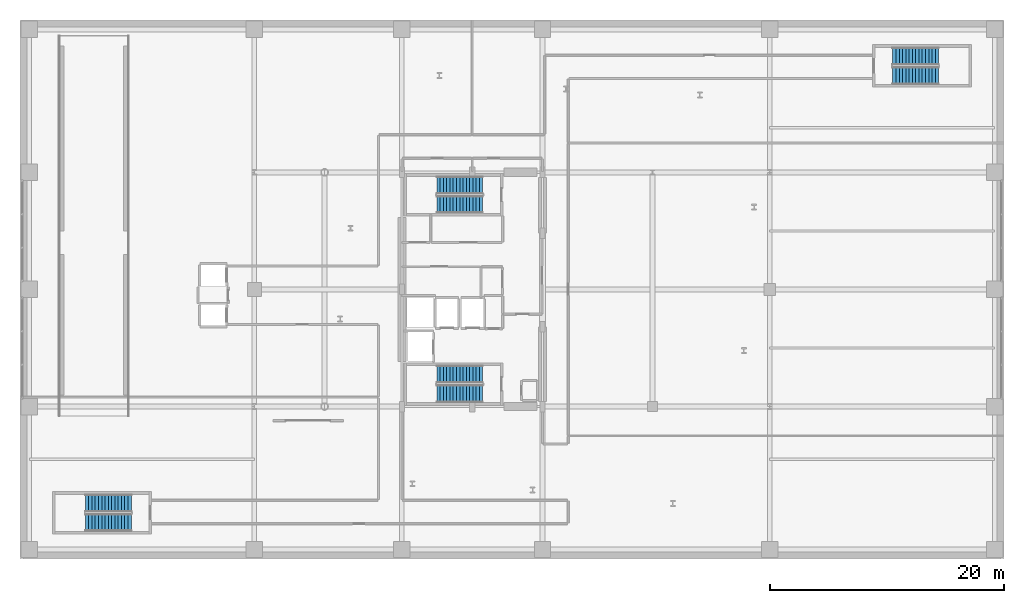
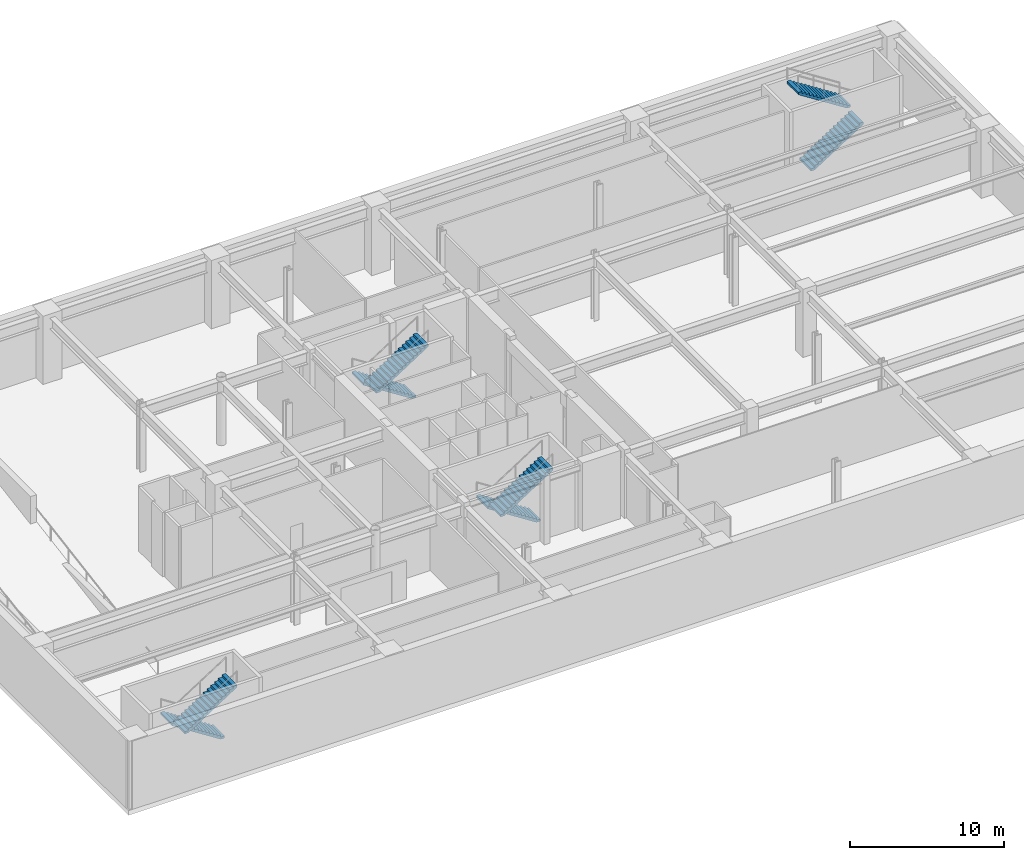
# One storey, part 21 of 25: 8 stair flights, 4 elements without a shape of their own.
"""IFC4 building model written with IfcOpenShell, lengths in metres."""

from ifc_helpers import new_model, si_unit, direction, frame, origin, place, context, subcontext, project, spatial, polyline, outline, extrude, material, layer, layer_set, type_object, element, aggregate, save


model = new_model("IFC4")

# Units and contexts
model_context = context("Model", 3, precision=1e-05, world=origin(), true_north=direction((0.0, 1.0)))
body_context = subcontext(model_context, "Body", "Model", "MODEL_VIEW")
ifc_project = project(units=[si_unit("LENGTHUNIT", "METRE"), si_unit("AREAUNIT", "SQUARE_METRE"), si_unit("VOLUMEUNIT", "CUBIC_METRE"), si_unit("PLANEANGLEUNIT", "RADIAN"), si_unit("MASSUNIT", "GRAM", prefix="KILO")], contexts=[model_context])

# Site, building, storey
site_placement = place(None, origin())
site = spatial("IfcSite", under=ifc_project, at=site_placement, CompositionType="ELEMENT")
building_placement = place(site_placement, origin())
building = spatial("IfcBuilding", under=site, at=building_placement, Name="Soratama Intermodal Tower", CompositionType="ELEMENT")
storey_placement = place(building_placement, frame((0.0, 0.0, -5.39990234375)))
storey = spatial("IfcBuildingStorey", under=building, at=storey_placement, Name="B1", CompositionType="ELEMENT", Elevation=-5.39990234375)

# Stair, stair flights
ifc_material_1 = material(Name="Concrete f'c 42 MPa", Category="concrete")
stair_type = type_object("IfcStairType", Name="ST-CORE-DOGLEG", PredefinedType="HALF_TURN_STAIR", material=ifc_material_1)
stair_1_placement = place(storey_placement, origin())
stair_1 = element("IfcStair", 1, at=stair_1_placement, inside=storey, type_object=stair_type, Name="B1 ST-1", PredefinedType="HALF_TURN_STAIR")
ifc_material_2 = material(Name="Precast concrete f'c 40 MPa", Category="concrete")
ifc_layer = layer(ifc_material_2, 0.199951171875)
ifc_layer_set = layer_set([ifc_layer], Name="Precast concrete f'c 40 MPa")
stair_flight_type = type_object("IfcStairFlightType", Name="SF-FLIGHT-RC", PredefinedType="STRAIGHT", material=ifc_layer_set)
stair_flight_1_placement = place(storey_placement, frame((39.5, 17.75, 0.0), z_axis=(0.0, 0.0, 1.0), x_axis=(-1.0, 0.0, 0.0)))
stair_flight_1 = element("IfcStairFlight", 2, at=stair_flight_1_placement, type_object=stair_flight_type, Name="ST-1 flight 1", NumberOfRisers=15, NumberOfTreads=14, PredefinedType="STRAIGHT", RiserHeight=0.18, TreadLength=0.28, context=body_context, shape_type="SweptSolid", body=[
    extrude(outline(polyline([(0.0, 0.0), (0.0, 0.179931640625), (0.280029296875, 0.179931640625), (0.280029296875, 0.360107421875), (0.56005859375, 0.360107421875), (0.56005859375, 0.5400390625), (0.840087890625, 0.5400390625), (0.840087890625, 0.719970703125), (1.1201171875, 0.719970703125), (1.1201171875, 0.89990234375), (1.39990234375, 0.89990234375), (1.39990234375, 1.080078125), (1.679931640625, 1.080078125), (1.679931640625, 1.260009765625), (1.9599609375, 1.260009765625), (1.9599609375, 1.43994140625), (2.239990234375, 1.43994140625), (2.239990234375, 1.6201171875), (2.52001953125, 1.6201171875), (2.52001953125, 1.800048828125), (2.800048828125, 1.800048828125), (2.800048828125, 1.97998046875), (3.080078125, 1.97998046875), (3.080078125, 2.159912109375), (3.360107421875, 2.159912109375), (3.360107421875, 2.340087890625), (3.639892578125, 2.340087890625), (3.639892578125, 2.52001953125), (3.919921875, 2.52001953125), (3.919921875, 2.699951171875), (3.919921875, 2.341796875), (0.277099609375, 0.0), (0.0, 0.0)])), frame((0.0, 0.75, 0.0), z_axis=(0.0, -1.0, 0.0), x_axis=(1.0, 0.0, 0.0)), (0.0, 0.0, 1.0), 1.5),
])
stair_flight_2_placement = place(storey_placement, frame((35.580078125, 16.10009765625, 2.699951171875), z_axis=(0.0, 0.0, 1.0), x_axis=(1.0, 0.0, 0.0)))
stair_flight_2 = element("IfcStairFlight", 3, at=stair_flight_2_placement, type_object=stair_flight_type, Name="ST-1 flight 2", NumberOfRisers=15, NumberOfTreads=14, PredefinedType="STRAIGHT", RiserHeight=0.18, TreadLength=0.28, context=body_context, shape_type="SweptSolid", body=[
    extrude(outline(polyline([(0.0, 0.0), (0.0, 0.179931640625), (0.280029296875, 0.179931640625), (0.280029296875, 0.360107421875), (0.56005859375, 0.360107421875), (0.56005859375, 0.5400390625), (0.840087890625, 0.5400390625), (0.840087890625, 0.719970703125), (1.1201171875, 0.719970703125), (1.1201171875, 0.89990234375), (1.39990234375, 0.89990234375), (1.39990234375, 1.080078125), (1.679931640625, 1.080078125), (1.679931640625, 1.260009765625), (1.9599609375, 1.260009765625), (1.9599609375, 1.43994140625), (2.239990234375, 1.43994140625), (2.239990234375, 1.6201171875), (2.52001953125, 1.6201171875), (2.52001953125, 1.800048828125), (2.800048828125, 1.800048828125), (2.800048828125, 1.97998046875), (3.080078125, 1.97998046875), (3.080078125, 2.159912109375), (3.360107421875, 2.159912109375), (3.360107421875, 2.340087890625), (3.639892578125, 2.340087890625), (3.639892578125, 2.52001953125), (3.919921875, 2.52001953125), (3.919921875, 2.699951171875), (3.919921875, 2.341796875), (0.277099609375, 0.0), (0.0, 0.0)])), frame((0.0, 0.75, 0.0), z_axis=(0.0, -1.0, 0.0), x_axis=(1.0, 0.0, 0.0)), (0.0, 0.0, 1.0), 1.5),
])
aggregate(stair_1, [stair_flight_1, stair_flight_2])

stair_2_placement = place(storey_placement, origin())
stair_2 = element("IfcStair", 4, at=stair_2_placement, inside=storey, type_object=stair_type, Name="B1 ST-2", PredefinedType="HALF_TURN_STAIR")
stair_flight_3_placement = place(storey_placement, frame((39.5, 33.89990234375, 0.0), z_axis=(0.0, 0.0, 1.0), x_axis=(-1.0, 0.0, 0.0)))
stair_flight_3 = element("IfcStairFlight", 5, at=stair_flight_3_placement, type_object=stair_flight_type, Name="ST-2 flight 1", NumberOfRisers=15, NumberOfTreads=14, PredefinedType="STRAIGHT", RiserHeight=0.18, TreadLength=0.28, context=body_context, shape_type="SweptSolid", body=[
    extrude(outline(polyline([(0.0, 0.0), (0.0, 0.179931640625), (0.280029296875, 0.179931640625), (0.280029296875, 0.360107421875), (0.56005859375, 0.360107421875), (0.56005859375, 0.5400390625), (0.840087890625, 0.5400390625), (0.840087890625, 0.719970703125), (1.1201171875, 0.719970703125), (1.1201171875, 0.89990234375), (1.39990234375, 0.89990234375), (1.39990234375, 1.080078125), (1.679931640625, 1.080078125), (1.679931640625, 1.260009765625), (1.9599609375, 1.260009765625), (1.9599609375, 1.43994140625), (2.239990234375, 1.43994140625), (2.239990234375, 1.6201171875), (2.52001953125, 1.6201171875), (2.52001953125, 1.800048828125), (2.800048828125, 1.800048828125), (2.800048828125, 1.97998046875), (3.080078125, 1.97998046875), (3.080078125, 2.159912109375), (3.360107421875, 2.159912109375), (3.360107421875, 2.340087890625), (3.639892578125, 2.340087890625), (3.639892578125, 2.52001953125), (3.919921875, 2.52001953125), (3.919921875, 2.699951171875), (3.919921875, 2.341796875), (0.277099609375, 0.0), (0.0, 0.0)])), frame((0.0, 0.75, 0.0), z_axis=(0.0, -1.0, 0.0), x_axis=(1.0, 0.0, 0.0)), (0.0, 0.0, 1.0), 1.5),
])
stair_flight_4_placement = place(storey_placement, frame((35.580078125, 32.25, 2.699951171875), z_axis=(0.0, 0.0, 1.0), x_axis=(1.0, 0.0, 0.0)))
stair_flight_4 = element("IfcStairFlight", 6, at=stair_flight_4_placement, type_object=stair_flight_type, Name="ST-2 flight 2", NumberOfRisers=15, NumberOfTreads=14, PredefinedType="STRAIGHT", RiserHeight=0.18, TreadLength=0.28, context=body_context, shape_type="SweptSolid", body=[
    extrude(outline(polyline([(0.0, 0.0), (0.0, 0.179931640625), (0.280029296875, 0.179931640625), (0.280029296875, 0.360107421875), (0.56005859375, 0.360107421875), (0.56005859375, 0.5400390625), (0.840087890625, 0.5400390625), (0.840087890625, 0.719970703125), (1.1201171875, 0.719970703125), (1.1201171875, 0.89990234375), (1.39990234375, 0.89990234375), (1.39990234375, 1.080078125), (1.679931640625, 1.080078125), (1.679931640625, 1.260009765625), (1.9599609375, 1.260009765625), (1.9599609375, 1.43994140625), (2.239990234375, 1.43994140625), (2.239990234375, 1.6201171875), (2.52001953125, 1.6201171875), (2.52001953125, 1.800048828125), (2.800048828125, 1.800048828125), (2.800048828125, 1.97998046875), (3.080078125, 1.97998046875), (3.080078125, 2.159912109375), (3.360107421875, 2.159912109375), (3.360107421875, 2.340087890625), (3.639892578125, 2.340087890625), (3.639892578125, 2.52001953125), (3.919921875, 2.52001953125), (3.919921875, 2.699951171875), (3.919921875, 2.341796875), (0.277099609375, 0.0), (0.0, 0.0)])), frame((0.0, 0.75, 0.0), z_axis=(0.0, -1.0, 0.0), x_axis=(1.0, 0.0, 0.0)), (0.0, 0.0, 1.0), 1.5),
])
aggregate(stair_2, [stair_flight_3, stair_flight_4])

stair_3_placement = place(storey_placement, origin())
stair_3 = element("IfcStair", 7, at=stair_3_placement, inside=storey, type_object=stair_type, Name="B1 ST-3", PredefinedType="HALF_TURN_STAIR")
stair_flight_5_placement = place(storey_placement, frame((9.5, 6.75, 0.0), z_axis=(0.0, 0.0, 1.0), x_axis=(-1.0, 0.0, 0.0)))
stair_flight_5 = element("IfcStairFlight", 8, at=stair_flight_5_placement, type_object=stair_flight_type, Name="ST-3 flight 1", NumberOfRisers=15, NumberOfTreads=14, PredefinedType="STRAIGHT", RiserHeight=0.18, TreadLength=0.28, context=body_context, shape_type="SweptSolid", body=[
    extrude(outline(polyline([(0.0, 0.0), (0.0, 0.179931640625), (0.280029296875, 0.179931640625), (0.280029296875, 0.360107421875), (0.56005859375, 0.360107421875), (0.56005859375, 0.5400390625), (0.840087890625, 0.5400390625), (0.840087890625, 0.719970703125), (1.1201171875, 0.719970703125), (1.1201171875, 0.89990234375), (1.39990234375, 0.89990234375), (1.39990234375, 1.080078125), (1.679931640625, 1.080078125), (1.679931640625, 1.260009765625), (1.9599609375, 1.260009765625), (1.9599609375, 1.43994140625), (2.239990234375, 1.43994140625), (2.239990234375, 1.6201171875), (2.52001953125, 1.6201171875), (2.52001953125, 1.800048828125), (2.800048828125, 1.800048828125), (2.800048828125, 1.97998046875), (3.080078125, 1.97998046875), (3.080078125, 2.159912109375), (3.360107421875, 2.159912109375), (3.360107421875, 2.340087890625), (3.639892578125, 2.340087890625), (3.639892578125, 2.52001953125), (3.919921875, 2.52001953125), (3.919921875, 2.699951171875), (3.919921875, 2.341796875), (0.277099609375, 0.0), (0.0, 0.0)])), frame((0.0, 0.75, 0.0), z_axis=(0.0, -1.0, 0.0), x_axis=(1.0, 0.0, 0.0)), (0.0, 0.0, 1.0), 1.5),
])
stair_flight_6_placement = place(storey_placement, frame((5.580078125, 5.10009765625, 2.699951171875), z_axis=(0.0, 0.0, 1.0), x_axis=(1.0, 0.0, 0.0)))
stair_flight_6 = element("IfcStairFlight", 9, at=stair_flight_6_placement, type_object=stair_flight_type, Name="ST-3 flight 2", NumberOfRisers=15, NumberOfTreads=14, PredefinedType="STRAIGHT", RiserHeight=0.18, TreadLength=0.28, context=body_context, shape_type="SweptSolid", body=[
    extrude(outline(polyline([(0.0, 0.0), (0.0, 0.179931640625), (0.280029296875, 0.179931640625), (0.280029296875, 0.360107421875), (0.56005859375, 0.360107421875), (0.56005859375, 0.5400390625), (0.840087890625, 0.5400390625), (0.840087890625, 0.719970703125), (1.1201171875, 0.719970703125), (1.1201171875, 0.89990234375), (1.39990234375, 0.89990234375), (1.39990234375, 1.080078125), (1.679931640625, 1.080078125), (1.679931640625, 1.260009765625), (1.9599609375, 1.260009765625), (1.9599609375, 1.43994140625), (2.239990234375, 1.43994140625), (2.239990234375, 1.6201171875), (2.52001953125, 1.6201171875), (2.52001953125, 1.800048828125), (2.800048828125, 1.800048828125), (2.800048828125, 1.97998046875), (3.080078125, 1.97998046875), (3.080078125, 2.159912109375), (3.360107421875, 2.159912109375), (3.360107421875, 2.340087890625), (3.639892578125, 2.340087890625), (3.639892578125, 2.52001953125), (3.919921875, 2.52001953125), (3.919921875, 2.699951171875), (3.919921875, 2.341796875), (0.277099609375, 0.0), (0.0, 0.0)])), frame((0.0, 0.75, 0.0), z_axis=(0.0, -1.0, 0.0), x_axis=(1.0, 0.0, 0.0)), (0.0, 0.0, 1.0), 1.5),
])
aggregate(stair_3, [stair_flight_5, stair_flight_6])

stair_4_placement = place(storey_placement, origin())
stair_4 = element("IfcStair", 10, at=stair_4_placement, inside=storey, type_object=stair_type, Name="B1 ST-4", PredefinedType="HALF_TURN_STAIR")
stair_flight_7_placement = place(storey_placement, frame((74.5, 43.25, 0.0), z_axis=(0.0, 0.0, 1.0), x_axis=(1.0, 0.0, 0.0)))
stair_flight_7 = element("IfcStairFlight", 11, at=stair_flight_7_placement, type_object=stair_flight_type, Name="ST-4 flight 1", NumberOfRisers=15, NumberOfTreads=14, PredefinedType="STRAIGHT", RiserHeight=0.18, TreadLength=0.28, context=body_context, shape_type="SweptSolid", body=[
    extrude(outline(polyline([(0.0, 0.0), (0.0, 0.179931640625), (0.280029296875, 0.179931640625), (0.280029296875, 0.360107421875), (0.56005859375, 0.360107421875), (0.56005859375, 0.5400390625), (0.840087890625, 0.5400390625), (0.840087890625, 0.719970703125), (1.1201171875, 0.719970703125), (1.1201171875, 0.89990234375), (1.39990234375, 0.89990234375), (1.39990234375, 1.080078125), (1.679931640625, 1.080078125), (1.679931640625, 1.260009765625), (1.9599609375, 1.260009765625), (1.9599609375, 1.43994140625), (2.239990234375, 1.43994140625), (2.239990234375, 1.6201171875), (2.52001953125, 1.6201171875), (2.52001953125, 1.800048828125), (2.800048828125, 1.800048828125), (2.800048828125, 1.97998046875), (3.080078125, 1.97998046875), (3.080078125, 2.159912109375), (3.360107421875, 2.159912109375), (3.360107421875, 2.340087890625), (3.639892578125, 2.340087890625), (3.639892578125, 2.52001953125), (3.919921875, 2.52001953125), (3.919921875, 2.699951171875), (3.919921875, 2.341796875), (0.277099609375, 0.0), (0.0, 0.0)])), frame((0.0, 0.75, 0.0), z_axis=(0.0, -1.0, 0.0), x_axis=(1.0, 0.0, 0.0)), (0.0, 0.0, 1.0), 1.5),
])
stair_flight_8_placement = place(storey_placement, frame((78.419921875, 44.89990234375, 2.699951171875), z_axis=(0.0, 0.0, 1.0), x_axis=(-1.0, 0.0, 0.0)))
stair_flight_8 = element("IfcStairFlight", 12, at=stair_flight_8_placement, type_object=stair_flight_type, Name="ST-4 flight 2", NumberOfRisers=15, NumberOfTreads=14, PredefinedType="STRAIGHT", RiserHeight=0.18, TreadLength=0.28, context=body_context, shape_type="SweptSolid", body=[
    extrude(outline(polyline([(0.0, 0.0), (0.0, 0.179931640625), (0.280029296875, 0.179931640625), (0.280029296875, 0.360107421875), (0.56005859375, 0.360107421875), (0.56005859375, 0.5400390625), (0.840087890625, 0.5400390625), (0.840087890625, 0.719970703125), (1.1201171875, 0.719970703125), (1.1201171875, 0.89990234375), (1.39990234375, 0.89990234375), (1.39990234375, 1.080078125), (1.679931640625, 1.080078125), (1.679931640625, 1.260009765625), (1.9599609375, 1.260009765625), (1.9599609375, 1.43994140625), (2.239990234375, 1.43994140625), (2.239990234375, 1.6201171875), (2.52001953125, 1.6201171875), (2.52001953125, 1.800048828125), (2.800048828125, 1.800048828125), (2.800048828125, 1.97998046875), (3.080078125, 1.97998046875), (3.080078125, 2.159912109375), (3.360107421875, 2.159912109375), (3.360107421875, 2.340087890625), (3.639892578125, 2.340087890625), (3.639892578125, 2.52001953125), (3.919921875, 2.52001953125), (3.919921875, 2.699951171875), (3.919921875, 2.341796875), (0.277099609375, 0.0), (0.0, 0.0)])), frame((0.0, 0.75, 0.0), z_axis=(0.0, -1.0, 0.0), x_axis=(1.0, 0.0, 0.0)), (0.0, 0.0, 1.0), 1.5),
])
aggregate(stair_4, [stair_flight_7, stair_flight_8])

save(model, "model.ifc")
